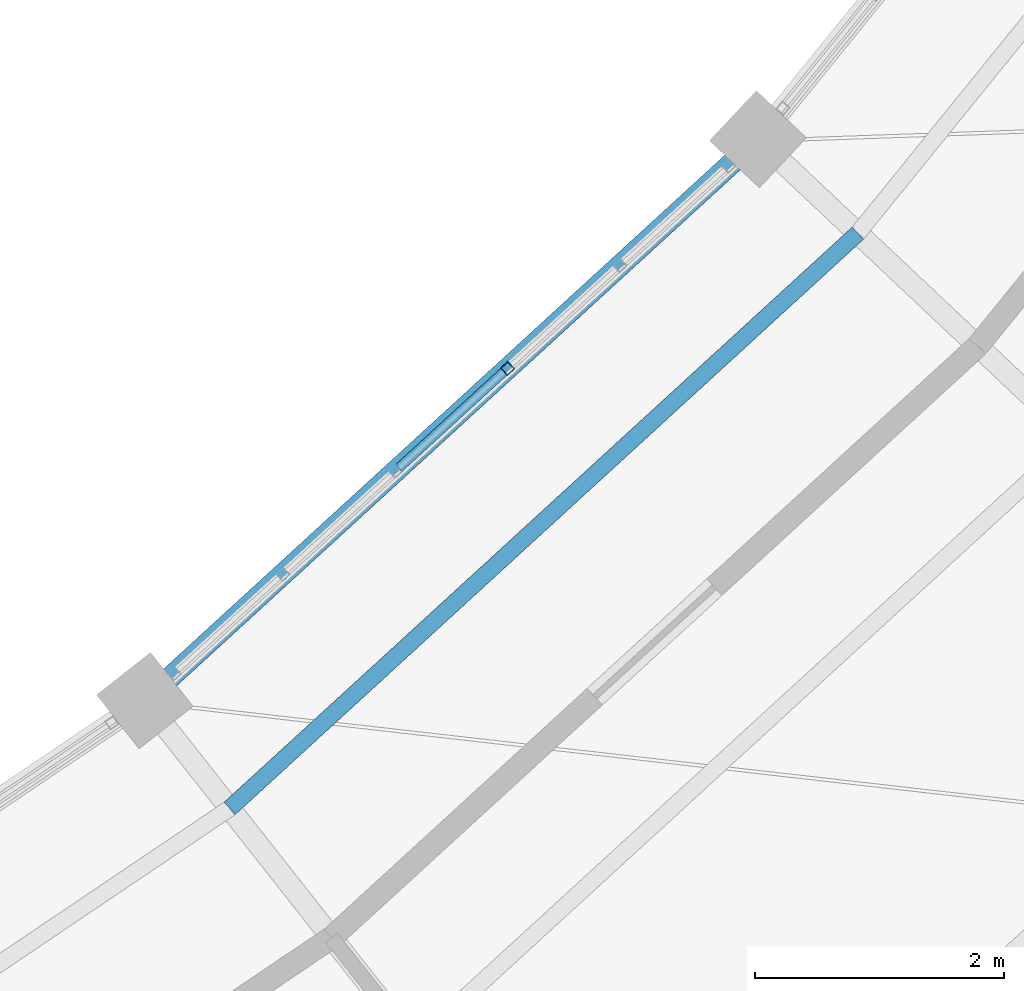
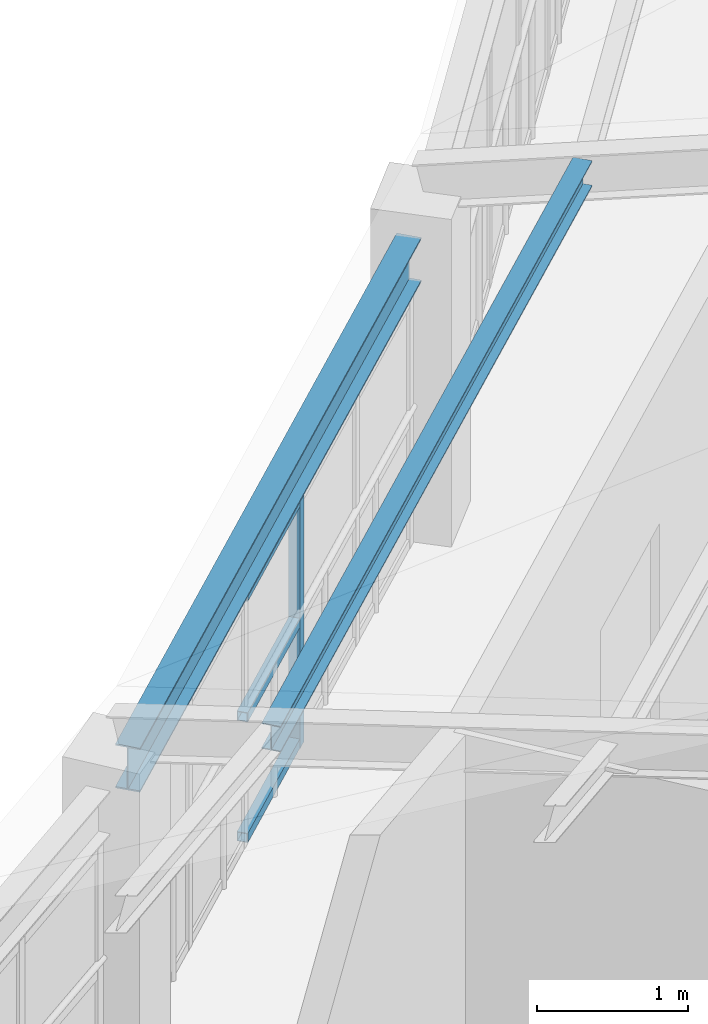
# One storey, part 49 of 149: 5 members, 1 beam, 1 element without a shape of its own.
"""IFC4 building model written with IfcOpenShell, lengths in metres."""

from ifc_helpers import new_model, si_unit, direction, frame, origin, origin_2d, place, context, subcontext, project, spatial, hollow_rectangle, i_section, extrude, material, material_profile, profile_set, type_object, element, aggregate, save


model = new_model("IFC4")

# Units and contexts
model_context = context("Model", 3, precision=1e-05, world=origin(), true_north=direction((0.0, 1.0)))
body_context = subcontext(model_context, "Body", "Model", "MODEL_VIEW")
ifc_project = project(units=[si_unit("LENGTHUNIT", "METRE"), si_unit("AREAUNIT", "SQUARE_METRE"), si_unit("VOLUMEUNIT", "CUBIC_METRE"), si_unit("PLANEANGLEUNIT", "RADIAN"), si_unit("MASSUNIT", "GRAM", prefix="KILO")], contexts=[model_context])

# Site, building, storey
site_placement = place(None, origin())
site = spatial("IfcSite", under=ifc_project, at=site_placement, CompositionType="ELEMENT")
building_placement = place(site_placement, origin())
building = spatial("IfcBuilding", under=site, at=building_placement, Name="Celadon Cloister-Ring School", CompositionType="ELEMENT")
storey_placement = place(building_placement, frame((0.0, 0.0, 12.5)))
storey = spatial("IfcBuildingStorey", under=building, at=storey_placement, Name="L03", CompositionType="ELEMENT", Elevation=12.5)

# Curtain wall, members
ifc_material_1 = material(Name="Aluminium EN AW-6063 T6", Category="aluminium")
curtain_wall_type = type_object("IfcCurtainWallType", Name="CW-02", PredefinedType="USERDEFINED", material=ifc_material_1)
curtain_wall_placement = place(storey_placement, origin())
curtain_wall = element("IfcCurtainWall", 1, at=curtain_wall_placement, inside=storey, type_object=curtain_wall_type, Name="Curtain Wall 0066", ObjectType="CURTAIN WALL", PredefinedType="USERDEFINED")
ifc_material_2 = material(Name="Aluminium EN AW-6063 T6", Category="aluminium")
ifc_material_profile_1 = material_profile(ifc_material_2, hollow_rectangle(XDim=0.080078125, YDim=0.080078125, WallThickness=0.00390625, at=origin_2d()), Name="RHS80X80X4")
ifc_profile_set_1 = profile_set([ifc_material_profile_1], Name="Aluminium EN AW-6063 T6")
member_type_1 = type_object("IfcMemberType", Name="CM-03", PredefinedType="MULLION", material=ifc_profile_set_1)
member_1_placement = place(storey_placement, frame((117.757080078125, 26.315673828125, 0.0), z_axis=(0.0, 0.0, 1.0), x_axis=(-0.675405823267, 0.737446251531, 0.0)))
member_1 = element("IfcMember", 2, at=member_1_placement, type_object=member_type_1, Name="CW-02 mullion 4", PredefinedType="MULLION", context=body_context, shape_type="SweptSolid", body=[
    extrude(hollow_rectangle(XDim=0.080078125, YDim=0.080078125, WallThickness=0.00390625, at=origin_2d()), origin(), (0.0, 0.0, 1.0), 2.02001953125),
])
ifc_material_3 = material(Name="Aluminium EN AW-6063 T6", Category="aluminium")
ifc_material_profile_2 = material_profile(ifc_material_3, hollow_rectangle(XDim=0.074951171875, YDim=0.074951171875, WallThickness=0.00390625, at=origin_2d()), Name="RHS75X75X4")
ifc_profile_set_2 = profile_set([ifc_material_profile_2], Name="Aluminium EN AW-6063 T6")
member_type_2 = type_object("IfcMemberType", Name="CTM-03", PredefinedType="USERDEFINED", material=ifc_profile_set_2)
member_2_placement = place(storey_placement, frame((116.885498046875, 25.517333984375, 0.03759765625), z_axis=(0.737429207639, 0.67542443228, 0.0), x_axis=(-0.67542443228, 0.737429207639, 0.0)))
member_2 = element("IfcMember", 3, at=member_2_placement, type_object=member_type_2, Name="CW-02 transom 3.1", ObjectType="TRANSOM", PredefinedType="USERDEFINED", context=body_context, shape_type="SweptSolid", body=[
    extrude(hollow_rectangle(XDim=0.074951171875, YDim=0.074951171875, WallThickness=0.00390625, at=origin_2d()), origin(), (0.0, 0.0, 1.0), 1.141845703125),
])
member_3_placement = place(storey_placement, frame((116.885498046875, 25.517333984375, 1.010009765625), z_axis=(0.737429207639, 0.67542443228, 0.0), x_axis=(-0.67542443228, 0.737429207639, 0.0)))
member_3 = element("IfcMember", 4, at=member_3_placement, type_object=member_type_2, Name="CW-02 transom 3.2", ObjectType="TRANSOM", PredefinedType="USERDEFINED", context=body_context, shape_type="SweptSolid", body=[
    extrude(hollow_rectangle(XDim=0.074951171875, YDim=0.074951171875, WallThickness=0.00390625, at=origin_2d()), origin(), (0.0, 0.0, 1.0), 1.141845703125),
])
member_4_placement = place(storey_placement, frame((116.885498046875, 25.517333984375, 1.982421875), z_axis=(0.737429207639, 0.67542443228, 0.0), x_axis=(-0.67542443228, 0.737429207639, 0.0)))
member_4 = element("IfcMember", 5, at=member_4_placement, type_object=member_type_2, Name="CW-02 transom 3.3", ObjectType="TRANSOM", PredefinedType="USERDEFINED", context=body_context, shape_type="SweptSolid", body=[
    extrude(hollow_rectangle(XDim=0.074951171875, YDim=0.074951171875, WallThickness=0.00390625, at=origin_2d()), origin(), (0.0, 0.0, 1.0), 1.141845703125),
])
aggregate(curtain_wall, [member_1, member_2, member_3, member_4])

# Beam
ifc_material_4 = material(Name="Structural steel S355JR", Category="steel")
ifc_material_profile_3 = material_profile(ifc_material_4, i_section(OverallWidth=0.1708984375, OverallDepth=0.35498046875, WebThickness=0.007080078125, FlangeThickness=0.01171875, at=origin_2d()), Name="W360X51")
ifc_profile_set_3 = profile_set([ifc_material_profile_3], Name="Structural steel S355JR")
beam_type = type_object("IfcBeamType", Name="GT-08", PredefinedType="USERDEFINED", material=ifc_profile_set_3)
beam_placement = place(storey_placement, frame((115.031982421875, 23.821044921875, 2.27197265625), z_axis=(0.737632141612, 0.675202801875, 0.0), x_axis=(-0.675202801875, 0.737632141612, 0.0)))
element("IfcBeam", 6, at=beam_placement, inside=storey, type_object=beam_type, Name="Beam 0566", ObjectType="GIRDER", PredefinedType="USERDEFINED", context=body_context, shape_type="SweptSolid", body=[
    extrude(i_section(OverallWidth=0.1708984375, OverallDepth=0.35498046875, WebThickness=0.007080078125, FlangeThickness=0.01171875, at=origin_2d()), origin(), (0.0, 0.0, 1.0), 6.167236328125),
])

# Member
ifc_material_5 = material(Name="Structural steel S355JR", Category="steel")
ifc_material_profile_4 = material_profile(ifc_material_5, i_section(OverallWidth=0.133056640625, OverallDepth=0.20703125, WebThickness=0.005859375, FlangeThickness=0.00830078125, at=origin_2d()), Name="W200X27")
ifc_profile_set_4 = profile_set([ifc_material_profile_4], Name="Structural steel S355JR")
member_type_3 = type_object("IfcMemberType", Name="MP-04", PredefinedType="PURLIN", material=ifc_profile_set_4)
member_5_placement = place(storey_placement, frame((115.529052734375, 22.7880859375, 2.970947265625), z_axis=(0.737541324377, 0.675302002689, 0.0), x_axis=(-0.675302002689, 0.737541324377, 0.0)))
element("IfcMember", 7, at=member_5_placement, inside=storey, type_object=member_type_3, Name="Structural Member 0190", PredefinedType="PURLIN", context=body_context, shape_type="SweptSolid", body=[
    extrude(i_section(OverallWidth=0.133056640625, OverallDepth=0.20703125, WebThickness=0.005859375, FlangeThickness=0.00830078125, at=origin_2d()), origin(), (0.0, 0.0, 1.0), 6.829345703125),
])

save(model, "model.ifc")
